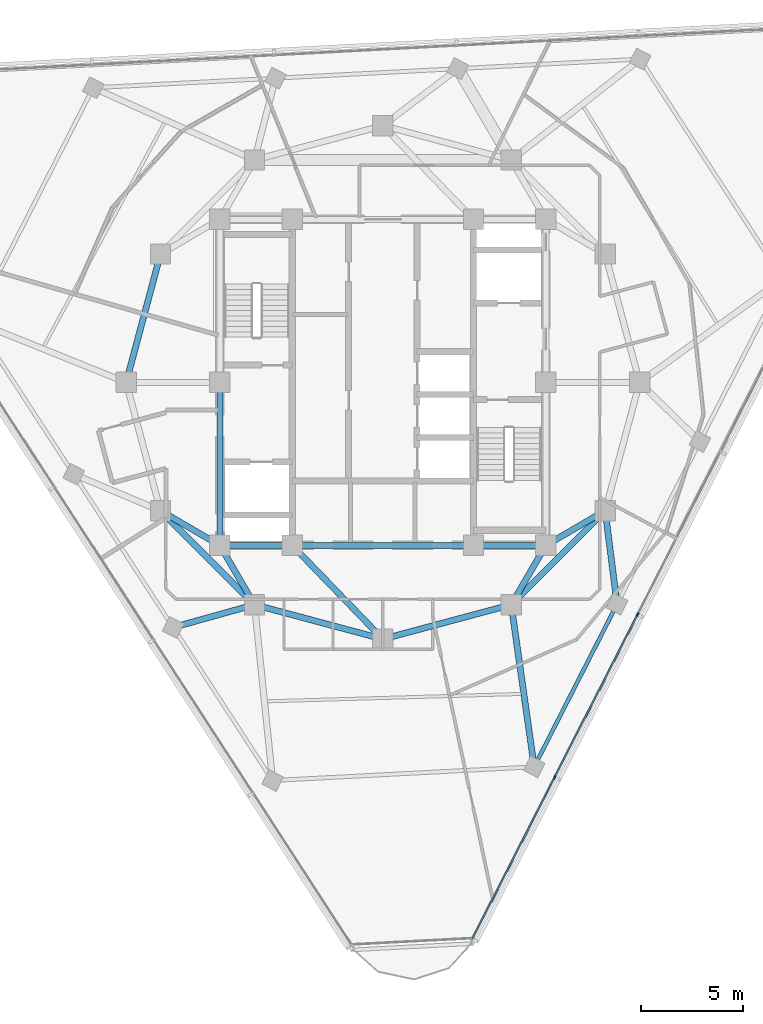
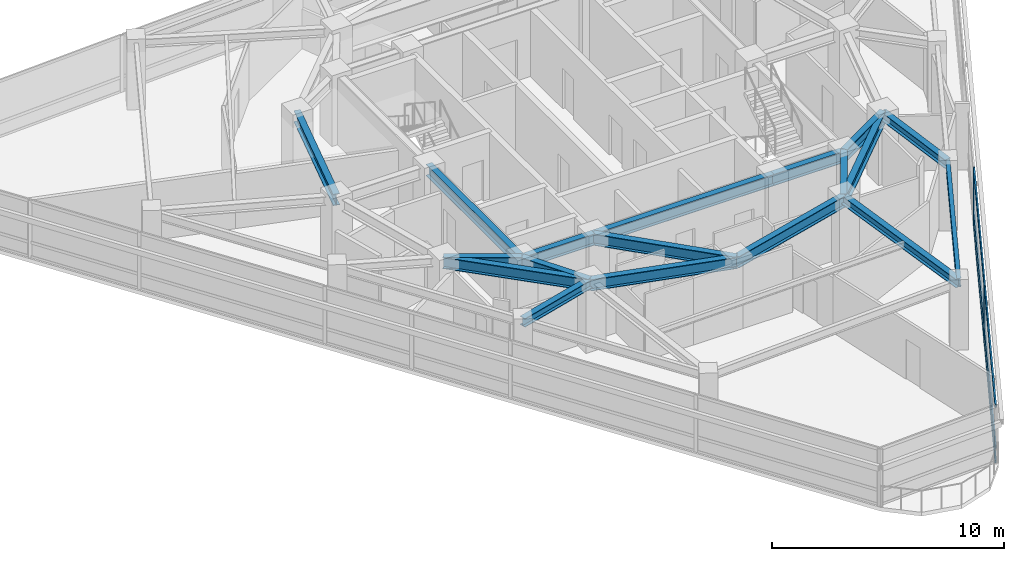
# One storey, part 3 of 15: 18 beams, 8 members, 1 element without a shape of its own.
"""IFC4 building model written with IfcOpenShell, lengths in metres."""

from ifc_helpers import new_model, si_unit, direction, frame, origin, origin_2d, place, context, subcontext, project, spatial, rectangle, i_section, extrude, material, layer, layer_set, material_profile, profile_set, type_object, element, aggregate, save


model = new_model("IFC4")

# Units and contexts
model_context = context("Model", 3, precision=1e-05, world=origin(), true_north=direction((0.0, 1.0)))
body_context = subcontext(model_context, "Body", "Model", "MODEL_VIEW")
ifc_project = project(units=[si_unit("LENGTHUNIT", "METRE"), si_unit("AREAUNIT", "SQUARE_METRE"), si_unit("VOLUMEUNIT", "CUBIC_METRE"), si_unit("PLANEANGLEUNIT", "RADIAN"), si_unit("MASSUNIT", "GRAM", prefix="KILO")], contexts=[model_context])

# Site, building, storey
site_placement = place(None, origin())
site = spatial("IfcSite", under=ifc_project, at=site_placement, CompositionType="ELEMENT")
building_placement = place(site_placement, origin())
building = spatial("IfcBuilding", under=site, at=building_placement, Name="Terralouvre Media Tower", CompositionType="ELEMENT")
storey_placement = place(building_placement, frame((0.0, 0.0, 267.0)))
storey = spatial("IfcBuildingStorey", under=building, at=storey_placement, Name="L69", CompositionType="ELEMENT", Elevation=267.0)

# Curtain wall, members
ifc_material_1 = material(Name="Low-iron laminated double glazing with solar-control coating", Category="glass")
ifc_layer = layer(ifc_material_1, 0.1650390625, Name="Upper Executive Tower Curtain Wall CW-05")
ifc_layer_set = layer_set([ifc_layer], Name="Low-iron laminated double glazing with solar-control coating")
curtain_wall_type = type_object("IfcCurtainWallType", Name="Upper Executive Tower Curtain Wall CW-05", PredefinedType="NOTDEFINED", material=ifc_layer_set)
curtain_wall_placement = place(storey_placement, origin())
curtain_wall = element("IfcCurtainWall", 1, at=curtain_wall_placement, inside=storey, type_object=curtain_wall_type, Name="L69 Facade Curtain Wall F0", PredefinedType="NOTDEFINED")
ifc_material_2 = material(Name="Anodised extruded aluminium 6063-T6", Category="aluminium")
ifc_material_profile_1 = material_profile(ifc_material_2, rectangle(XDim=0.074951171875, YDim=0.14990234375, at=origin_2d()), Name="ALU 75x150")
ifc_profile_set_1 = profile_set([ifc_material_profile_1], Name="Anodised extruded aluminium 6063-T6")
member_type_1 = type_object("IfcMemberType", Name="Curtain-Wall Horizontal Transom TR-150", PredefinedType="USERDEFINED", material=ifc_profile_set_1)
member_1_placement = place(storey_placement, frame((4.3994140625, -27.297607421875, 0.03759765625), z_axis=(0.453977864671, 0.891012961964, 0.0), x_axis=(-0.891012961964, 0.453977864671, 0.0)))
member_1 = element("IfcMember", 2, at=member_1_placement, type_object=member_type_1, Name="CW-05 transom 1.1", ObjectType="TRANSOM", PredefinedType="USERDEFINED", context=body_context, shape_type="SweptSolid", body=[
    extrude(rectangle(XDim=0.074951171875, YDim=0.14990234375, at=origin_2d()), origin(), (0.0, 0.0, 1.0), 8.84765625),
])
member_2_placement = place(storey_placement, frame((4.3994140625, -27.297607421875, 0.800048828125), z_axis=(0.453977864671, 0.891012961964, 0.0), x_axis=(-0.891012961964, 0.453977864671, 0.0)))
member_2 = element("IfcMember", 3, at=member_2_placement, type_object=member_type_1, Name="CW-05 transom 1.2", ObjectType="TRANSOM", PredefinedType="USERDEFINED", context=body_context, shape_type="SweptSolid", body=[
    extrude(rectangle(XDim=0.074951171875, YDim=0.14990234375, at=origin_2d()), origin(), (0.0, 0.0, 1.0), 8.84765625),
])
member_3_placement = place(storey_placement, frame((4.3994140625, -27.297607421875, 2.96240234375), z_axis=(0.453977864671, 0.891012961964, 0.0), x_axis=(-0.891012961964, 0.453977864671, 0.0)))
member_3 = element("IfcMember", 4, at=member_3_placement, type_object=member_type_1, Name="CW-05 transom 1.3", ObjectType="TRANSOM", PredefinedType="USERDEFINED", context=body_context, shape_type="SweptSolid", body=[
    extrude(rectangle(XDim=0.074951171875, YDim=0.14990234375, at=origin_2d()), origin(), (0.0, 0.0, 1.0), 8.84765625),
])
member_4_placement = place(storey_placement, frame((8.449951171875, -19.347412109375, 0.03759765625), z_axis=(0.454015101289, 0.890993988645, 0.0), x_axis=(-0.890993988645, 0.454015101289, 0.0)))
member_4 = element("IfcMember", 5, at=member_4_placement, type_object=member_type_1, Name="CW-05 transom 2.1", ObjectType="TRANSOM", PredefinedType="USERDEFINED", context=body_context, shape_type="SweptSolid", body=[
    extrude(rectangle(XDim=0.074951171875, YDim=0.14990234375, at=origin_2d()), origin(), (0.0, 0.0, 1.0), 8.885009765625),
])
member_5_placement = place(storey_placement, frame((8.449951171875, -19.347412109375, 0.800048828125), z_axis=(0.454015101289, 0.890993988645, 0.0), x_axis=(-0.890993988645, 0.454015101289, 0.0)))
member_5 = element("IfcMember", 6, at=member_5_placement, type_object=member_type_1, Name="CW-05 transom 2.2", ObjectType="TRANSOM", PredefinedType="USERDEFINED", context=body_context, shape_type="SweptSolid", body=[
    extrude(rectangle(XDim=0.074951171875, YDim=0.14990234375, at=origin_2d()), origin(), (0.0, 0.0, 1.0), 8.885009765625),
])
member_6_placement = place(storey_placement, frame((8.449951171875, -19.347412109375, 2.96240234375), z_axis=(0.454015101289, 0.890993988645, 0.0), x_axis=(-0.890993988645, 0.454015101289, 0.0)))
member_6 = element("IfcMember", 7, at=member_6_placement, type_object=member_type_1, Name="CW-05 transom 2.3", ObjectType="TRANSOM", PredefinedType="USERDEFINED", context=body_context, shape_type="SweptSolid", body=[
    extrude(rectangle(XDim=0.074951171875, YDim=0.14990234375, at=origin_2d()), origin(), (0.0, 0.0, 1.0), 8.885009765625),
])
ifc_material_3 = material(Name="Anodised extruded aluminium 6063-T6", Category="aluminium")
ifc_material_profile_2 = material_profile(ifc_material_3, rectangle(XDim=0.074951171875, YDim=0.179931640625, at=origin_2d()), Name="ALU 75x180")
ifc_profile_set_2 = profile_set([ifc_material_profile_2], Name="Anodised extruded aluminium 6063-T6")
member_type_2 = type_object("IfcMemberType", Name="Curtain-Wall Vertical Mullion ML-180", PredefinedType="MULLION", material=ifc_profile_set_2)
member_7_placement = place(storey_placement, frame((8.43310546875, -19.380859375, 0.0), z_axis=(0.0, 0.0, 1.0), x_axis=(-0.891006553308, 0.45399044259, 0.0)))
member_7 = element("IfcMember", 8, at=member_7_placement, type_object=member_type_2, Name="CW-05 mullion 2", PredefinedType="MULLION", context=body_context, shape_type="SweptSolid", body=[
    extrude(rectangle(XDim=0.074951171875, YDim=0.179931640625, at=origin_2d()), origin(), (0.0, 0.0, 1.0), 3.0),
])
member_8_placement = place(storey_placement, frame((12.500732421875, -11.3974609375, 0.0), z_axis=(0.0, 0.0, 1.0), x_axis=(-0.891006553308, 0.45399044259, 0.0)))
member_8 = element("IfcMember", 9, at=member_8_placement, type_object=member_type_2, Name="CW-05 mullion 3", PredefinedType="MULLION", context=body_context, shape_type="SweptSolid", body=[
    extrude(rectangle(XDim=0.074951171875, YDim=0.179931640625, at=origin_2d()), origin(), (0.0, 0.0, 1.0), 3.0),
])
aggregate(curtain_wall, [member_7, member_8, member_1, member_2, member_3, member_4, member_5, member_6])

# Beams
ifc_material_4 = material(Name="Structural steel S355J2", Category="steel")
ifc_material_profile_3 = material_profile(ifc_material_4, i_section(OverallWidth=0.18994140625, OverallDepth=0.449951171875, WebThickness=0.009521484375, FlangeThickness=0.0146484375, at=origin_2d()), Name="IPE 450")
ifc_profile_set_3 = profile_set([ifc_material_profile_3], Name="Structural steel S355J2")
beam_type_1 = type_object("IfcBeamType", Name="Perimeter Spandrel Beam SPB-450 (IPE 450)", PredefinedType="SPANDREL", material=ifc_profile_set_3)
beam_1_placement = place(storey_placement, frame((7.42626953125, -18.867919921875, 3.27490234375), z_axis=(0.453980068772, 0.891011838955, 0.0), x_axis=(-0.891011838955, 0.453980068772, 0.0)))
element("IfcBeam", 10, at=beam_1_placement, inside=storey, type_object=beam_type_1, Name="L69 Framing Beam BM-L69-PR04", PredefinedType="SPANDREL", context=body_context, shape_type="SweptSolid", body=[
    extrude(i_section(OverallWidth=0.18994140625, OverallDepth=0.449951171875, WebThickness=0.009521484375, FlangeThickness=0.0146484375, at=origin_2d()), origin(), (0.0, 0.0, 1.0), 8.9599609375),
])
ifc_material_5 = material(Name="Structural steel S355J2", Category="steel")
ifc_material_profile_4 = material_profile(ifc_material_5, i_section(OverallWidth=0.300048828125, OverallDepth=0.449951171875, WebThickness=0.013916015625, FlangeThickness=0.02587890625, at=origin_2d()), Name="HEB 450")
ifc_profile_set_4 = profile_set([ifc_material_profile_4], Name="Structural steel S355J2")
beam_type_2 = type_object("IfcBeamType", Name="Primary Floor Girder B-HEB450 (HEB 450)", PredefinedType="BEAM", material=ifc_profile_set_4)
beam_2_placement = place(storey_placement, frame((-6.300048828125, -10.911865234375, 3.27490234375), z_axis=(-0.963188145668, -0.268828190571, 0.0), x_axis=(0.268828190571, -0.963188145668, 0.0)))
element("IfcBeam", 11, at=beam_2_placement, inside=storey, type_object=beam_type_2, Name="L69 Framing Beam BM-L69-RD02", PredefinedType="BEAM", context=body_context, shape_type="SweptSolid", body=[
    extrude(i_section(OverallWidth=0.300048828125, OverallDepth=0.449951171875, WebThickness=0.013916015625, FlangeThickness=0.02587890625, at=origin_2d()), origin(), (0.0, 0.0, 1.0), 4.145751953125),
])
beam_3_placement = place(storey_placement, frame((6.300048828125, -10.911865234375, 3.27490234375), z_axis=(0.140157905782, -0.990129164022, 0.0), x_axis=(0.990129164022, 0.140157905782, 0.0)))
element("IfcBeam", 12, at=beam_3_placement, inside=storey, type_object=beam_type_2, Name="L69 Framing Beam BM-L69-RD04", PredefinedType="BEAM", context=body_context, shape_type="SweptSolid", body=[
    extrude(i_section(OverallWidth=0.300048828125, OverallDepth=0.449951171875, WebThickness=0.013916015625, FlangeThickness=0.02587890625, at=origin_2d()), origin(), (0.0, 0.0, 1.0), 8.035400390625),
])
beam_4_placement = place(storey_placement, frame((10.911865234375, -6.300048828125, 3.27490234375), z_axis=(0.125946128673, -0.992037082307, 0.0), x_axis=(0.992037082307, 0.125946128673, 0.0)))
element("IfcBeam", 13, at=beam_4_placement, inside=storey, type_object=beam_type_2, Name="L69 Framing Beam BM-L69-RD05", PredefinedType="BEAM", context=body_context, shape_type="SweptSolid", body=[
    extrude(i_section(OverallWidth=0.300048828125, OverallDepth=0.449951171875, WebThickness=0.013916015625, FlangeThickness=0.02587890625, at=origin_2d()), origin(), (0.0, 0.0, 1.0), 4.621337890625),
])
ifc_material_6 = material(Name="Structural steel S460M", Category="steel")
ifc_material_profile_5 = material_profile(ifc_material_6, i_section(OverallWidth=0.300048828125, OverallDepth=0.60009765625, WebThickness=0.015380859375, FlangeThickness=0.030029296875, at=origin_2d()), Name="HEB 600")
ifc_profile_set_5 = profile_set([ifc_material_profile_5], Name="Structural steel S460M")
beam_type_3 = type_object("IfcBeamType", Name="Primary Floor Girder B-HEB600 (HEB 600)", PredefinedType="BEAM", material=ifc_profile_set_5)
beam_5_placement = place(storey_placement, frame((-8.0, -8.0, 3.199951171875), z_axis=(1.0, 0.0, 0.0), x_axis=(0.0, 1.0, 0.0)))
element("IfcBeam", 14, at=beam_5_placement, inside=storey, type_object=beam_type_3, Name="L69 Framing Beam BM-L69-CPR01", PredefinedType="BEAM", context=body_context, shape_type="SweptSolid", body=[
    extrude(i_section(OverallWidth=0.300048828125, OverallDepth=0.60009765625, WebThickness=0.015380859375, FlangeThickness=0.030029296875, at=origin_2d()), origin(), (0.0, 0.0, 1.0), 3.550048828125),
])
beam_6_placement = place(storey_placement, frame((-4.449951171875, -8.0, 3.199951171875), z_axis=(1.0, 0.0, 0.0), x_axis=(0.0, 1.0, 0.0)))
element("IfcBeam", 15, at=beam_6_placement, inside=storey, type_object=beam_type_3, Name="L69 Framing Beam BM-L69-CPR02", PredefinedType="BEAM", context=body_context, shape_type="SweptSolid", body=[
    extrude(i_section(OverallWidth=0.300048828125, OverallDepth=0.60009765625, WebThickness=0.015380859375, FlangeThickness=0.030029296875, at=origin_2d()), origin(), (0.0, 0.0, 1.0), 8.89990234375),
])
beam_7_placement = place(storey_placement, frame((4.449951171875, -8.0, 3.199951171875), z_axis=(1.0, 0.0, 0.0), x_axis=(0.0, 1.0, 0.0)))
element("IfcBeam", 16, at=beam_7_placement, inside=storey, type_object=beam_type_3, Name="L69 Framing Beam BM-L69-CPR03", PredefinedType="BEAM", context=body_context, shape_type="SweptSolid", body=[
    extrude(i_section(OverallWidth=0.300048828125, OverallDepth=0.60009765625, WebThickness=0.015380859375, FlangeThickness=0.030029296875, at=origin_2d()), origin(), (0.0, 0.0, 1.0), 3.550048828125),
])
beam_8_placement = place(storey_placement, frame((-8.0, 0.0, 3.199951171875), z_axis=(0.0, -1.0, 0.0), x_axis=(1.0, 0.0, 0.0)))
element("IfcBeam", 17, at=beam_8_placement, inside=storey, type_object=beam_type_3, Name="L69 Framing Beam BM-L69-CPR10", PredefinedType="BEAM", context=body_context, shape_type="SweptSolid", body=[
    extrude(i_section(OverallWidth=0.300048828125, OverallDepth=0.60009765625, WebThickness=0.015380859375, FlangeThickness=0.030029296875, at=origin_2d()), origin(), (0.0, 0.0, 1.0), 8.0),
])
beam_9_placement = place(storey_placement, frame((-10.911865234375, -6.300048828125, 3.199951171875), z_axis=(0.707106781187, -0.707106781187, 0.0), x_axis=(0.707106781187, 0.707106781187, 0.0)))
element("IfcBeam", 18, at=beam_9_placement, inside=storey, type_object=beam_type_3, Name="L69 Framing Beam BM-L69-MR01", PredefinedType="BEAM", context=body_context, shape_type="SweptSolid", body=[
    extrude(i_section(OverallWidth=0.300048828125, OverallDepth=0.60009765625, WebThickness=0.015380859375, FlangeThickness=0.030029296875, at=origin_2d()), origin(), (0.0, 0.0, 1.0), 6.52197265625),
])
for number, where, z_axis, x_axis, name in (
    (19, (-6.300048828125, -10.911865234375, 3.199951171875), (0.965920481897, -0.258838989821, 0.0), (0.258838989821, 0.965920481897, 0.0), "L69 Framing Beam BM-L69-MR02"),
    (20, (0.0, -12.60009765625, 3.199951171875), (0.965920481897, 0.258838989821, 0.0), (-0.258838989821, 0.965920481897, 0.0), "L69 Framing Beam BM-L69-MR03"),
):
    element("IfcBeam", number, at=place(storey_placement, frame(where, z_axis=z_axis, x_axis=x_axis)), inside=storey, type_object=beam_type_3, Name=name, PredefinedType="BEAM", context=body_context, shape_type="SweptSolid", body=[
        extrude(i_section(OverallWidth=0.300048828125, OverallDepth=0.60009765625, WebThickness=0.015380859375, FlangeThickness=0.030029296875, at=origin_2d()), origin(), (0.0, 0.0, 1.0), 6.522216796875),
    ])
beam_10_placement = place(storey_placement, frame((6.300048828125, -10.911865234375, 3.199951171875), z_axis=(0.707106781187, 0.707106781187, 0.0), x_axis=(-0.707106781187, 0.707106781187, 0.0)))
element("IfcBeam", 21, at=beam_10_placement, inside=storey, type_object=beam_type_3, Name="L69 Framing Beam BM-L69-MR04", PredefinedType="BEAM", context=body_context, shape_type="SweptSolid", body=[
    extrude(i_section(OverallWidth=0.300048828125, OverallDepth=0.60009765625, WebThickness=0.015380859375, FlangeThickness=0.030029296875, at=origin_2d()), origin(), (0.0, 0.0, 1.0), 6.52197265625),
])
beam_11_placement = place(storey_placement, frame((-10.911865234375, 6.300048828125, 3.199951171875), z_axis=(-0.258838989821, -0.965920481897, 0.0), x_axis=(0.965920481897, -0.258838989821, 0.0)))
element("IfcBeam", 22, at=beam_11_placement, inside=storey, type_object=beam_type_3, Name="L69 Framing Beam BM-L69-MR11", PredefinedType="BEAM", context=body_context, shape_type="SweptSolid", body=[
    extrude(i_section(OverallWidth=0.300048828125, OverallDepth=0.60009765625, WebThickness=0.015380859375, FlangeThickness=0.030029296875, at=origin_2d()), origin(), (0.0, 0.0, 1.0), 6.522216796875),
])
for number, where, z_axis, x_axis, name in (
    (23, (-8.0, -8.0, 3.199951171875), (-0.863602894532, 0.504172629717, 0.0), (-0.504172629717, -0.863602894532, 0.0), "L69 Framing Beam BM-L69-CM01"),
    (24, (-8.0, -8.0, 3.199951171875), (0.504172629717, -0.863602894532, 0.0), (0.863602894532, 0.504172629717, 0.0), "L69 Framing Beam BM-L69-CM02"),
):
    element("IfcBeam", number, at=place(storey_placement, frame(where, z_axis=z_axis, x_axis=x_axis)), inside=storey, type_object=beam_type_3, Name=name, PredefinedType="BEAM", context=body_context, shape_type="SweptSolid", body=[
        extrude(i_section(OverallWidth=0.300048828125, OverallDepth=0.60009765625, WebThickness=0.015380859375, FlangeThickness=0.030029296875, at=origin_2d()), origin(), (0.0, 0.0, 1.0), 3.371826171875),
    ])
beam_12_placement = place(storey_placement, frame((-4.449951171875, -8.0, 3.199951171875), z_axis=(0.695279715726, -0.718739255155, 0.0), x_axis=(0.718739255155, 0.695279715726, 0.0)))
element("IfcBeam", 25, at=beam_12_placement, inside=storey, type_object=beam_type_3, Name="L69 Framing Beam BM-L69-CM03", PredefinedType="BEAM", context=body_context, shape_type="SweptSolid", body=[
    extrude(i_section(OverallWidth=0.300048828125, OverallDepth=0.60009765625, WebThickness=0.015380859375, FlangeThickness=0.030029296875, at=origin_2d()), origin(), (0.0, 0.0, 1.0), 6.400146484375),
])
for number, where, z_axis, x_axis, name in (
    (26, (8.0, -8.0, 3.199951171875), (-0.504172629717, -0.863602894532, 0.0), (0.863602894532, -0.504172629717, 0.0), "L69 Framing Beam BM-L69-CM04"),
    (27, (8.0, -8.0, 3.199951171875), (0.863602894532, 0.504172629717, 0.0), (-0.504172629717, 0.863602894532, 0.0), "L69 Framing Beam BM-L69-CM05"),
):
    element("IfcBeam", number, at=place(storey_placement, frame(where, z_axis=z_axis, x_axis=x_axis)), inside=storey, type_object=beam_type_3, Name=name, PredefinedType="BEAM", context=body_context, shape_type="SweptSolid", body=[
        extrude(i_section(OverallWidth=0.300048828125, OverallDepth=0.60009765625, WebThickness=0.015380859375, FlangeThickness=0.030029296875, at=origin_2d()), origin(), (0.0, 0.0, 1.0), 3.371826171875),
    ])

save(model, "model.ifc")
